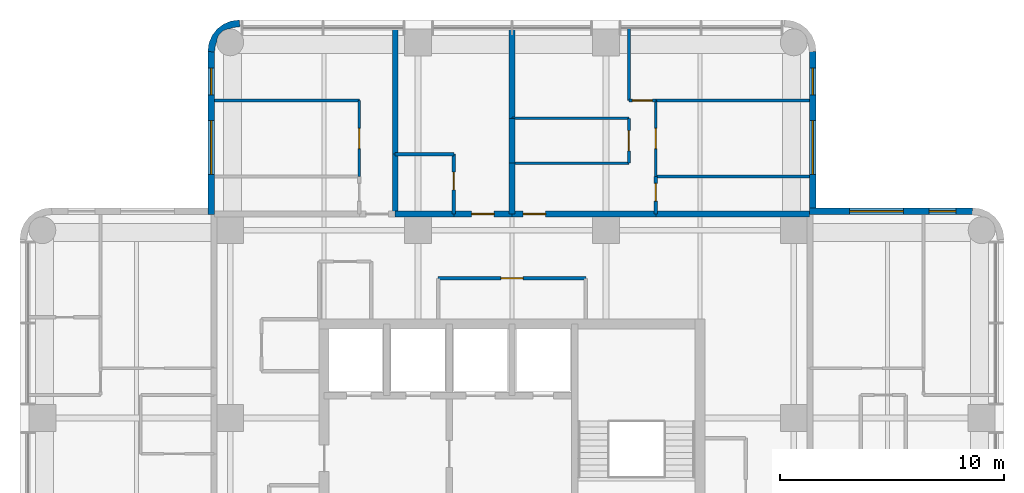
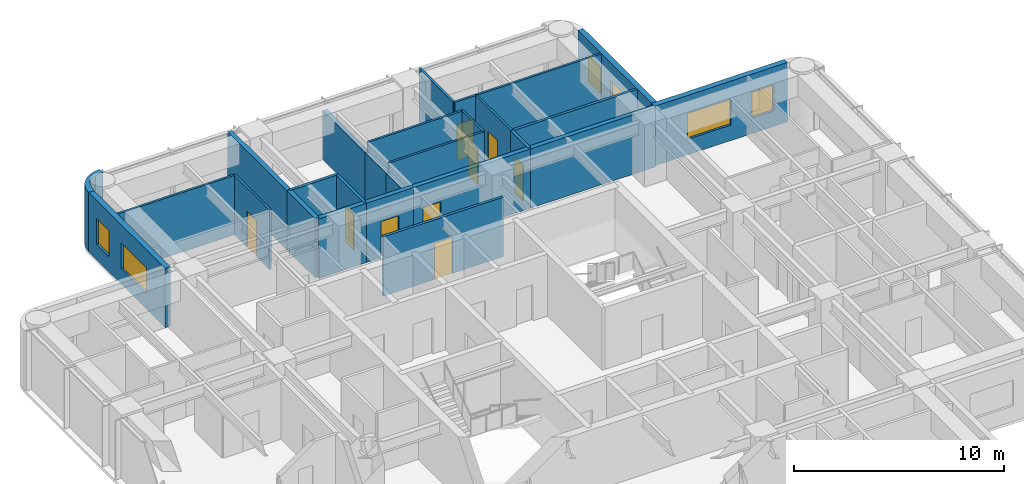
# One storey, part 8 of 10: 27 walls, 9 doors, 6 windows, 15 openings.
"""IFC4 building model written with IfcOpenShell, lengths in metres."""

import ifcopenshell
import ifcopenshell.guid

model = None  # the IFC model being written
_history = None  # IfcOwnerHistory: only IFC2X3 demands one
_inside = {}  # id of a spatial element -> (the spatial element, [elements in it])
_under = {}  # id of a project, library or spatial element -> (it, [spatial elements below it])
_declared = {}  # id of a project -> (the project, [libraries it declares])
_typed = {}  # id of a type object -> (the type object, [elements of that type])
_made_of = {}  # id of a material, layer set ... -> (it, [elements and type objects made of it])


def new_model(schema):
    """Start an empty IFC model of exactly this schema.

    Asked for "IFC4X3", IfcOpenShell would pick the latest addendum, in which some entities
    have other attributes; the version numbers below select the first issue.
    IFC2X3 requires an IfcOwnerHistory on every rooted entity: one is made here for all.
    """
    global model, _history
    if schema == "IFC4X3":
        model = ifcopenshell.file(schema_version=(4, 3, 0, 0))
    else:
        model = ifcopenshell.file(schema=schema)
    _inside.clear()
    _under.clear()
    _declared.clear()
    _typed.clear()
    _made_of.clear()
    _history = None
    if model.schema == "IFC2X3":
        org = make("IfcOrganization", Name="unknown")
        user = make(
            "IfcPersonAndOrganization",
            ThePerson=make("IfcPerson", FamilyName="unknown"),
            TheOrganization=org,
        )
        app = make(
            "IfcApplication",
            ApplicationDeveloper=org,
            Version="unknown",
            ApplicationFullName="unknown",
            ApplicationIdentifier="unknown",
        )
        _history = make(
            "IfcOwnerHistory",
            OwningUser=user,
            OwningApplication=app,
            ChangeAction="ADDED",
            CreationDate=0,
        )
    return model


def make(cls, **values):
    """One entity of the class cls with the attributes given. An attribute that is None is left unset."""
    return model.create_entity(
        cls, **{name: value for name, value in values.items() if value is not None}
    )


def rooted(cls, **values):
    """An entity with a GlobalId (a new one), such as an element, a storey or a relation."""
    return make(cls, GlobalId=ifcopenshell.guid.new(), OwnerHistory=_history, **values)


def si_unit(unit_type, name, prefix=None):
    """IfcSIUnit, for example si_unit("LENGTHUNIT", "METRE", prefix="MILLI")."""
    return make("IfcSIUnit", UnitType=unit_type, Prefix=prefix, Name=name)


def assignment(units):
    """IfcUnitAssignment: the units of a project."""
    return None if units is None else make("IfcUnitAssignment", Units=units)


def point(xyz):
    """IfcCartesianPoint."""
    return None if xyz is None else make("IfcCartesianPoint", Coordinates=xyz)


def direction(xyz):
    """IfcDirection."""
    return None if xyz is None else make("IfcDirection", DirectionRatios=xyz)


def frame(location, z_axis=None, x_axis=None):
    """IfcAxis2Placement3D, a coordinate frame: its origin and axes. An axis left out is left unset."""
    return make(
        "IfcAxis2Placement3D",
        Location=point(location),
        Axis=direction(z_axis),
        RefDirection=direction(x_axis),
    )


def frame_2d(location, x_axis=None):
    """IfcAxis2Placement2D, a coordinate frame in the plane: its origin and x axis."""
    return make(
        "IfcAxis2Placement2D", Location=point(location), RefDirection=direction(x_axis)
    )


def origin():
    """The frame at (0, 0, 0) with its axes left unset."""
    return frame((0.0, 0.0, 0.0))


def place(relative_to, where):
    """IfcLocalPlacement: puts the frame where relative to a parent placement (None: the world)."""
    return make(
        "IfcLocalPlacement", PlacementRelTo=relative_to, RelativePlacement=where
    )


def context(
    kind, dimensions, precision=None, world=None, true_north=None, identifier=None
):
    """IfcGeometricRepresentationContext, for example the 3D "Model" context."""
    return make(
        "IfcGeometricRepresentationContext",
        ContextIdentifier=identifier,
        ContextType=kind,
        CoordinateSpaceDimension=dimensions,
        Precision=precision,
        WorldCoordinateSystem=world,
        TrueNorth=true_north,
    )


def subcontext(parent, identifier, kind, view, scale=None):
    """IfcGeometricRepresentationSubContext, for example "Body" below "Model"."""
    return make(
        "IfcGeometricRepresentationSubContext",
        ContextIdentifier=identifier,
        ContextType=kind,
        ParentContext=parent,
        TargetScale=scale,
        TargetView=view,
    )


def project(units=None, contexts=None):
    """IfcProject with its units and contexts."""
    return rooted(
        "IfcProject",
        Name="project",
        RepresentationContexts=contexts,
        UnitsInContext=assignment(units),
    )


def spatial(cls, under=None, at=None, **own):
    """A site, building, storey or space (cls), placed at a placement, below another one or the project."""
    s = rooted(cls, ObjectPlacement=at, **own)
    if under is not None:
        _under.setdefault(under.id(), (under, []))[1].append(s)
    return s


def polyline(points):
    """IfcPolyline through the points."""
    return make("IfcPolyline", Points=[point(p) for p in points])


def profile(cls, at=None, kind="AREA", **sizes):
    """A parametric profile (cls). Its sizes go by their IFC names, for example OverallWidth=200.0."""
    return make(cls, ProfileType=kind, Position=at, **sizes)


def rectangle(**sizes):
    """IfcRectangleProfileDef."""
    return profile("IfcRectangleProfileDef", **sizes)


def outline(outer, holes=None, kind="AREA"):
    """IfcArbitraryClosedProfileDef: a profile drawn as a closed curve; with holes, ...WithVoids."""
    if holes is None:
        return make("IfcArbitraryClosedProfileDef", ProfileType=kind, OuterCurve=outer)
    return make(
        "IfcArbitraryProfileDefWithVoids",
        ProfileType=kind,
        OuterCurve=outer,
        InnerCurves=holes,
    )


def extrude(swept, where, along, depth):
    """IfcExtrudedAreaSolid: the profile swept, set in the frame where, extruded along a direction by depth."""
    return make(
        "IfcExtrudedAreaSolid",
        SweptArea=swept,
        Position=where,
        ExtrudedDirection=direction(along),
        Depth=depth,
    )


def shape(context_of_items, identifier, shape_type, items):
    """IfcShapeRepresentation: the items that make up one representation, for example the "Body"."""
    return make(
        "IfcShapeRepresentation",
        ContextOfItems=context_of_items,
        RepresentationIdentifier=identifier,
        RepresentationType=shape_type,
        Items=items,
    )


def material(Name=None, Category=None):
    """IfcMaterial."""
    return make("IfcMaterial", Name=Name, Category=Category)


def layer(
    of_material, thickness, ventilated=None, Name=None, Category=None, Priority=None
):
    """IfcMaterialLayer: one layer of a wall or slab, of a material (None: an air gap)."""
    return make(
        "IfcMaterialLayer",
        Material=of_material,
        LayerThickness=thickness,
        IsVentilated=ventilated,
        Name=Name,
        Category=Category,
        Priority=Priority,
    )


def layer_set(layers, Name=None):
    """IfcMaterialLayerSet."""
    return make("IfcMaterialLayerSet", MaterialLayers=layers, LayerSetName=Name)


def made_of(thing, what):
    """Note that an element or type object is made of a material, layer set ...; save() writes the relation."""
    if what is not None:
        _made_of.setdefault(what.id(), (what, []))[1].append(thing)
    return thing


def type_object(cls, material=None, **own):
    """A type object (cls), such as IfcWallType, which elements share."""
    return made_of(rooted(cls, **own), material)


def element(
    cls,
    number,
    at=None,
    inside=None,
    cuts=None,
    type_object=None,
    material=None,
    context=None,
    identifier="Body",
    shape_type=None,
    held_by="IfcProductDefinitionShape",
    body=None,
    shapes=None,
    **own,
):
    """One element of the class cls, such as IfcWall. Its Tag is "e" and its number.

    at: its placement. inside: the storey or other place that contains it. cuts: it is an
    opening in that element (IfcRelVoidsElement). A single representation is given by context,
    identifier, shape_type and body (its items); several are given by shapes. held_by: the class
    of the entity that holds the representations. save() writes the other relations.
    """
    e = rooted(cls, Tag="e%d" % number, ObjectPlacement=at, **own)
    if body is not None:
        shapes = [shape(context, identifier, shape_type, body)]
    if shapes is not None:
        e.Representation = make(held_by, Representations=shapes)
    if inside is not None:
        _inside.setdefault(inside.id(), (inside, []))[1].append(e)
    if cuts is not None:
        rooted(
            "IfcRelVoidsElement", RelatingBuildingElement=cuts, RelatedOpeningElement=e
        )
    if type_object is not None:
        _typed.setdefault(type_object.id(), (type_object, []))[1].append(e)
    return made_of(e, material)


def fill(opening, filler):
    """IfcRelFillsElement: the door or window that sits in an opening."""
    return rooted(
        "IfcRelFillsElement",
        RelatingOpeningElement=opening,
        RelatedBuildingElement=filler,
    )


def aggregate(whole, parts):
    """IfcRelAggregates: a whole, such as a stair, and the parts it consists of."""
    return rooted("IfcRelAggregates", RelatingObject=whole, RelatedObjects=parts)


def save(model, path):
    """Write the relations noted so far, then the file.

    IfcRelAggregates (storeys below a building ...), IfcRelContainedInSpatialStructure (elements
    in a storey), IfcRelDefinesByType, IfcRelAssociatesMaterial and IfcRelDeclares: one each for
    every whole, place, type object, material and project.
    """
    for whole, parts in _under.values():
        aggregate(whole, parts)
    for where, things in _inside.values():
        rooted(
            "IfcRelContainedInSpatialStructure",
            RelatedElements=things,
            RelatingStructure=where,
        )
    for kind, things in _typed.values():
        rooted("IfcRelDefinesByType", RelatedObjects=things, RelatingType=kind)
    for what, things in _made_of.values():
        rooted("IfcRelAssociatesMaterial", RelatedObjects=things, RelatingMaterial=what)
    for by, libraries in _declared.values():
        rooted("IfcRelDeclares", RelatingContext=by, RelatedDefinitions=libraries)
    model.write(path)


model = new_model("IFC4")

# Units and contexts
model_context = context("Model", 3, precision=1e-05, world=origin(), true_north=direction((0.0, 1.0)))
body_context = subcontext(model_context, "Body", "Model", "MODEL_VIEW")
ifc_project = project(units=[si_unit("LENGTHUNIT", "METRE"), si_unit("AREAUNIT", "SQUARE_METRE"), si_unit("VOLUMEUNIT", "CUBIC_METRE"), si_unit("PLANEANGLEUNIT", "RADIAN"), si_unit("MASSUNIT", "GRAM", prefix="KILO")], contexts=[model_context])

# Site, building, storey
site_placement = place(None, origin())
site = spatial("IfcSite", under=ifc_project, at=site_placement, CompositionType="ELEMENT")
building_placement = place(site_placement, origin())
building = spatial("IfcBuilding", under=site, at=building_placement, Name="Torre Alcanfor", CompositionType="ELEMENT")
storey_placement = place(building_placement, frame((0.0, 0.0, 275.699951171875)))
storey = spatial("IfcBuildingStorey", under=building, at=storey_placement, Name="L72", CompositionType="ELEMENT", Elevation=275.699951171875)

# Wall, opening, door
ifc_material_1 = material(Name="Concrete block masonry, hollow blocks NMX-C-404 9 MPa", Category="masonry")
ifc_layer_1 = layer(ifc_material_1, 0.25)
ifc_layer_set_1 = layer_set([ifc_layer_1], Name="Apartment entrance wall 250 EI 60")
wall_type_1 = type_object("IfcWallType", Name="Apartment entrance wall 250 EI 60", PredefinedType="PARTITIONING", material=ifc_layer_set_1)
wall_1_placement = place(storey_placement, frame((26.800048828125, 42.72509765625, 0.0), z_axis=(0.0, 0.0, 1.0), x_axis=(1.0, 0.0, 0.0)))
wall_1 = element("IfcWall", 1, at=wall_1_placement, inside=storey, type_object=wall_type_1, Name="Partition L72-CORR / L72-N1A-STUDIO", PredefinedType="PARTITIONING", context=body_context, shape_type="SweptSolid", body=[
    extrude(rectangle(XDim=2.599853515625, YDim=0.25, at=frame_2d((1.2998046875, 0.0))), origin(), (0.0, 0.0, 1.0), 3.449951171875),
])
opening_1_placement = place(wall_1_placement, frame((0.800048828125, 0.0, 0.0)))
opening_1 = element("IfcOpeningElement", 2, at=opening_1_placement, cuts=wall_1, Name="Opening D-A1", PredefinedType="OPENING", context=body_context, shape_type="SweptSolid", body=[
    extrude(rectangle(XDim=1.0, YDim=2.10009765625, at=frame_2d((0.5, 1.050048828125))), frame((0.0, 0.135009765625, 0.0), z_axis=(0.0, -1.0, 0.0), x_axis=(1.0, 0.0, 0.0)), (0.0, 0.0, 1.0), 0.27001953125),
])
ifc_material_2 = material(Name="Galvanised steel sheet ASTM A653", Category="steel")
door_type_1 = type_object("IfcDoorType", Name="Apartment entrance door FD60 1000x2100", OperationType="SINGLE_SWING_LEFT", PredefinedType="DOOR", material=ifc_material_2)
door_1_placement = place(opening_1_placement, origin())
door_1 = element("IfcDoor", 3, at=door_1_placement, inside=storey, type_object=door_type_1, Name="Apartment entrance L72-N1A", OperationType="SINGLE_SWING_LEFT", OverallHeight=2.10009765625, OverallWidth=1.0, PredefinedType="DOOR", context=body_context, shape_type="SweptSolid", body=[
    extrude(rectangle(XDim=1.0, YDim=2.10009765625, at=frame_2d((0.5, 1.050048828125))), frame((0.0, 0.02490234375, 0.0), z_axis=(0.0, -1.0, 0.0), x_axis=(1.0, 0.0, 0.0)), (0.0, 0.0, 1.0), 0.050048828125),
])
fill(opening_1, door_1)

# Wall
wall_2_placement = place(storey_placement, frame((24.1708984375, 42.72509765625, 0.0), z_axis=(0.0, 0.0, 1.0), x_axis=(1.0, 0.0, 0.0)))
element("IfcWall", 4, at=wall_2_placement, inside=storey, type_object=wall_type_1, Name="Partition L72-CORR / L72-N1A-BATH", PredefinedType="PARTITIONING", context=body_context, shape_type="SweptSolid", body=[
    extrude(rectangle(XDim=2.629150390625, YDim=0.25, at=frame_2d((1.314453125, 0.0))), origin(), (0.0, 0.0, 1.0), 3.449951171875),
])

# Wall, opening, door
wall_3_placement = place(storey_placement, frame((29.39990234375, 42.72509765625, 0.0), z_axis=(0.0, 0.0, 1.0), x_axis=(1.0, 0.0, 0.0)))
wall_3 = element("IfcWall", 5, at=wall_3_placement, inside=storey, type_object=wall_type_1, Name="Partition L72-CORR / L72-N2-LIVING", PredefinedType="PARTITIONING", context=body_context, shape_type="SweptSolid", body=[
    extrude(rectangle(XDim=6.42919921875, YDim=0.25, at=frame_2d((3.214599609375, 0.0))), origin(), (0.0, 0.0, 1.0), 3.449951171875),
])
opening_2_placement = place(wall_3_placement, frame((0.5, 0.0, 0.0)))
opening_2 = element("IfcOpeningElement", 6, at=opening_2_placement, cuts=wall_3, Name="Opening D-A1", PredefinedType="OPENING", context=body_context, shape_type="SweptSolid", body=[
    extrude(rectangle(XDim=1.0, YDim=2.10009765625, at=frame_2d((0.5, 1.050048828125))), frame((0.0, 0.135009765625, 0.0), z_axis=(0.0, -1.0, 0.0), x_axis=(1.0, 0.0, 0.0)), (0.0, 0.0, 1.0), 0.27001953125),
])
door_2_placement = place(opening_2_placement, origin())
door_2 = element("IfcDoor", 7, at=door_2_placement, inside=storey, type_object=door_type_1, Name="Apartment entrance L72-N2", OperationType="SINGLE_SWING_LEFT", OverallHeight=2.10009765625, OverallWidth=1.0, PredefinedType="DOOR", context=body_context, shape_type="SweptSolid", body=[
    extrude(rectangle(XDim=1.0, YDim=2.10009765625, at=frame_2d((0.5, 1.050048828125))), frame((0.0, 0.02490234375, 0.0), z_axis=(0.0, -1.0, 0.0), x_axis=(1.0, 0.0, 0.0)), (0.0, 0.0, 1.0), 0.050048828125),
])
fill(opening_2, door_2)

# Wall
wall_4_placement = place(storey_placement, frame((35.8291015625, 42.72509765625, 0.0), z_axis=(0.0, 0.0, 1.0), x_axis=(1.0, 0.0, 0.0)))
element("IfcWall", 8, at=wall_4_placement, inside=storey, type_object=wall_type_1, Name="Partition L72-CORR / L72-N2-BATH", PredefinedType="PARTITIONING", context=body_context, shape_type="SweptSolid", body=[
    extrude(rectangle(XDim=6.870849609375, YDim=0.25, at=frame_2d((3.435546875, 0.0))), origin(), (0.0, 0.0, 1.0), 3.449951171875),
])

# Wall, opening, door
ifc_material_3 = material(Name="Gypsum board on steel studs", Category="steel")
ifc_layer_2 = layer(ifc_material_3, 0.1201171875)
ifc_layer_set_2 = layer_set([ifc_layer_2], Name="Apartment partition 120")
wall_type_2 = type_object("IfcWallType", Name="Apartment partition 120", PredefinedType="PARTITIONING", material=ifc_layer_set_2)
wall_5_placement = place(storey_placement, frame((22.571044921875, 44.39990234375, 0.0), z_axis=(0.0, 0.0, 1.0), x_axis=(0.0, 1.0, 0.0)))
wall_5 = element("IfcWall", 9, at=wall_5_placement, inside=storey, type_object=wall_type_2, Name="Partition L72-N1B-LIVING / L72-N1B-MASTER", PredefinedType="PARTITIONING", context=body_context, shape_type="SweptSolid", body=[
    extrude(rectangle(XDim=3.400146484375, YDim=0.1201171875, at=frame_2d((1.7001953125, 0.0))), origin(), (0.0, 0.0, 1.0), 3.449951171875),
])
opening_3_placement = place(wall_5_placement, frame((1.25, 0.0, 0.0)))
opening_3 = element("IfcOpeningElement", 10, at=opening_3_placement, cuts=wall_5, Name="Opening D-R1", PredefinedType="OPENING", context=body_context, shape_type="SweptSolid", body=[
    extrude(rectangle(XDim=0.89990234375, YDim=2.10009765625, at=frame_2d((0.449951171875, 1.050048828125))), frame((0.0, 0.070068359375, 0.0), z_axis=(0.0, -1.0, 0.0), x_axis=(1.0, 0.0, 0.0)), (0.0, 0.0, 1.0), 0.14013671875),
])
ifc_material_4 = material(Name="Timber", Category="wood")
door_type_2 = type_object("IfcDoorType", Name="Internal door 900x2100", OperationType="SINGLE_SWING_LEFT", PredefinedType="DOOR", material=ifc_material_4)
door_3_placement = place(opening_3_placement, origin())
door_3 = element("IfcDoor", 11, at=door_3_placement, inside=storey, type_object=door_type_2, Name="Door L72-N1B master", OperationType="SINGLE_SWING_LEFT", OverallHeight=2.10009765625, OverallWidth=0.89990234375, PredefinedType="DOOR", context=body_context, shape_type="SweptSolid", body=[
    extrude(rectangle(XDim=0.89990234375, YDim=2.10009765625, at=frame_2d((0.449951171875, 1.050048828125))), frame((0.0, 0.02490234375, 0.0), z_axis=(0.0, -1.0, 0.0), x_axis=(1.0, 0.0, 0.0)), (0.0, 0.0, 1.0), 0.050048828125),
])
fill(opening_3, door_3)

# Walls
wall_6_placement = place(storey_placement, frame((22.571044921875, 47.800048828125, 0.0), z_axis=(0.0, 0.0, 1.0), x_axis=(-1.0, 0.0, 0.0)))
element("IfcWall", 12, at=wall_6_placement, inside=storey, type_object=wall_type_2, Name="Partition L72-N1B-LIVING / L72-N1B-MASTER", PredefinedType="PARTITIONING", context=body_context, shape_type="SweptSolid", body=[
    extrude(rectangle(XDim=6.470947265625, YDim=0.1201171875, at=frame_2d((3.2353515625, 0.0))), origin(), (0.0, 0.0, 1.0), 3.449951171875),
])
wall_7_placement = place(storey_placement, frame((29.39990234375, 47.0, 0.0), z_axis=(0.0, 0.0, 1.0), x_axis=(1.0, 0.0, 0.0)))
element("IfcWall", 13, at=wall_7_placement, inside=storey, type_object=wall_type_2, Name="Partition L72-N2-KITCHEN / L72-N2-LIVING", PredefinedType="PARTITIONING", context=body_context, shape_type="SweptSolid", body=[
    extrude(rectangle(XDim=5.22900390625, YDim=0.1201171875, at=frame_2d((2.614501953125, 0.0))), origin(), (0.0, 0.0, 1.0), 3.449951171875),
])

# Wall, opening, door
wall_8_placement = place(storey_placement, frame((34.62890625, 47.0, 0.0), z_axis=(0.0, 0.0, 1.0), x_axis=(0.0, -1.0, 0.0)))
wall_8 = element("IfcWall", 14, at=wall_8_placement, inside=storey, type_object=wall_type_2, Name="Partition L72-N2-KITCHEN / L72-N2-LIVING", PredefinedType="PARTITIONING", context=body_context, shape_type="SweptSolid", body=[
    extrude(rectangle(XDim=2.0, YDim=0.1201171875, at=frame_2d((1.0, 0.0))), origin(), (0.0, 0.0, 1.0), 3.449951171875),
])
opening_4_placement = place(wall_8_placement, frame((0.550048828125, 0.0, 0.0)))
opening_4 = element("IfcOpeningElement", 15, at=opening_4_placement, cuts=wall_8, Name="Opening D-R1", PredefinedType="OPENING", context=body_context, shape_type="SweptSolid", body=[
    extrude(rectangle(XDim=0.89990234375, YDim=2.10009765625, at=frame_2d((0.449951171875, 1.050048828125))), frame((0.0, 0.070068359375, 0.0), z_axis=(0.0, -1.0, 0.0), x_axis=(1.0, 0.0, 0.0)), (0.0, 0.0, 1.0), 0.14013671875),
])
door_4_placement = place(opening_4_placement, frame((0.89990234375, 0.0, 0.0), z_axis=(0.0, 0.0, 1.0), x_axis=(-1.0, 0.0, 0.0)))
door_4 = element("IfcDoor", 16, at=door_4_placement, inside=storey, type_object=door_type_2, Name="Door L72-N2 kitchen", OperationType="SINGLE_SWING_RIGHT", OverallHeight=2.10009765625, OverallWidth=0.89990234375, PredefinedType="DOOR", context=body_context, shape_type="SweptSolid", body=[
    extrude(rectangle(XDim=0.89990234375, YDim=2.10009765625, at=frame_2d((0.449951171875, 1.050048828125))), frame((0.0, 0.025146484375, 0.0), z_axis=(0.0, -1.0, 0.0), x_axis=(1.0, 0.0, 0.0)), (0.0, 0.0, 1.0), 0.050048828125),
])
fill(opening_4, door_4)

# Wall
wall_9_placement = place(storey_placement, frame((34.62890625, 45.0, 0.0), z_axis=(0.0, 0.0, 1.0), x_axis=(-1.0, 0.0, 0.0)))
element("IfcWall", 17, at=wall_9_placement, inside=storey, type_object=wall_type_2, Name="Partition L72-N2-KITCHEN / L72-N2-LIVING", PredefinedType="PARTITIONING", context=body_context, shape_type="SweptSolid", body=[
    extrude(rectangle(XDim=5.22900390625, YDim=0.1201171875, at=frame_2d((2.614501953125, 0.0))), origin(), (0.0, 0.0, 1.0), 3.449951171875),
])

# Wall, opening, door
wall_10_placement = place(storey_placement, frame((35.8291015625, 47.800048828125, 0.0), z_axis=(0.0, 0.0, 1.0), x_axis=(0.0, -1.0, 0.0)))
wall_10 = element("IfcWall", 18, at=wall_10_placement, inside=storey, type_object=wall_type_2, Name="Partition L72-N2-LIVING / L72-N2-STUDY", PredefinedType="PARTITIONING", context=body_context, shape_type="SweptSolid", body=[
    extrude(rectangle(XDim=3.400146484375, YDim=0.1201171875, at=frame_2d((1.7001953125, 0.0))), origin(), (0.0, 0.0, 1.0), 3.449951171875),
])
opening_5_placement = place(wall_10_placement, frame((1.25, 0.0, 0.0)))
opening_5 = element("IfcOpeningElement", 19, at=opening_5_placement, cuts=wall_10, Name="Opening D-R1", PredefinedType="OPENING", context=body_context, shape_type="SweptSolid", body=[
    extrude(rectangle(XDim=0.89990234375, YDim=2.10009765625, at=frame_2d((0.449951171875, 1.050048828125))), frame((0.0, 0.070068359375, 0.0), z_axis=(0.0, -1.0, 0.0), x_axis=(1.0, 0.0, 0.0)), (0.0, 0.0, 1.0), 0.14013671875),
])
door_5_placement = place(opening_5_placement, origin())
door_5 = element("IfcDoor", 20, at=door_5_placement, inside=storey, type_object=door_type_2, Name="Door L72-N2 study", OperationType="SINGLE_SWING_LEFT", OverallHeight=2.10009765625, OverallWidth=0.89990234375, PredefinedType="DOOR", context=body_context, shape_type="SweptSolid", body=[
    extrude(rectangle(XDim=0.89990234375, YDim=2.10009765625, at=frame_2d((0.449951171875, 1.050048828125))), frame((0.0, 0.02490234375, 0.0), z_axis=(0.0, -1.0, 0.0), x_axis=(1.0, 0.0, 0.0)), (0.0, 0.0, 1.0), 0.050048828125),
])
fill(opening_5, door_5)

# Wall
wall_11_placement = place(storey_placement, frame((34.62890625, 51.050048828125, 0.0), z_axis=(0.0, 0.0, 1.0), x_axis=(0.0, -1.0, 0.0)))
element("IfcWall", 21, at=wall_11_placement, inside=storey, type_object=wall_type_2, Name="Partition L72-N2-LIVING / L72-N2-MASTER", PredefinedType="PARTITIONING", context=body_context, shape_type="SweptSolid", body=[
    extrude(rectangle(XDim=3.25, YDim=0.1201171875, at=frame_2d((1.625, 0.0))), origin(), (0.0, 0.0, 1.0), 3.449951171875),
])

# Wall, opening, door
wall_12_placement = place(storey_placement, frame((34.62890625, 47.800048828125, 0.0), z_axis=(0.0, 0.0, 1.0), x_axis=(1.0, 0.0, 0.0)))
wall_12 = element("IfcWall", 22, at=wall_12_placement, inside=storey, type_object=wall_type_2, Name="Partition L72-N2-LIVING / L72-N2-MASTER", PredefinedType="PARTITIONING", context=body_context, shape_type="SweptSolid", body=[
    extrude(rectangle(XDim=1.2001953125, YDim=0.1201171875, at=frame_2d((0.60009765625, 0.0))), origin(), (0.0, 0.0, 1.0), 3.449951171875),
])
opening_6_placement = place(wall_12_placement, frame((0.15087890625, 0.0, 0.0)))
opening_6 = element("IfcOpeningElement", 23, at=opening_6_placement, cuts=wall_12, Name="Opening D-R1", PredefinedType="OPENING", context=body_context, shape_type="SweptSolid", body=[
    extrude(rectangle(XDim=0.89990234375, YDim=2.10009765625, at=frame_2d((0.449951171875, 1.050048828125))), frame((0.0, 0.070068359375, 0.0), z_axis=(0.0, -1.0, 0.0), x_axis=(1.0, 0.0, 0.0)), (0.0, 0.0, 1.0), 0.14013671875),
])
door_6_placement = place(opening_6_placement, origin())
door_6 = element("IfcDoor", 24, at=door_6_placement, inside=storey, type_object=door_type_2, Name="Door L72-N2 master", OperationType="SINGLE_SWING_LEFT", OverallHeight=2.10009765625, OverallWidth=0.89990234375, PredefinedType="DOOR", context=body_context, shape_type="SweptSolid", body=[
    extrude(rectangle(XDim=0.89990234375, YDim=2.10009765625, at=frame_2d((0.449951171875, 1.050048828125))), frame((0.0, 0.02490234375, 0.0), z_axis=(0.0, -1.0, 0.0), x_axis=(1.0, 0.0, 0.0)), (0.0, 0.0, 1.0), 0.050048828125),
])
fill(opening_6, door_6)

# Wall
wall_13_placement = place(storey_placement, frame((35.8291015625, 47.800048828125, 0.0), z_axis=(0.0, 0.0, 1.0), x_axis=(1.0, 0.0, 0.0)))
element("IfcWall", 25, at=wall_13_placement, inside=storey, type_object=wall_type_2, Name="Partition L72-N2-STUDY / L72-N2-MASTER", PredefinedType="PARTITIONING", context=body_context, shape_type="SweptSolid", body=[
    extrude(rectangle(XDim=6.870849609375, YDim=0.1201171875, at=frame_2d((3.435546875, 0.0))), origin(), (0.0, 0.0, 1.0), 3.449951171875),
])

# Wall, openings, windows
ifc_material_5 = material(Name="Limestone cladding", Category="masonry")
ifc_layer_3 = layer(ifc_material_5, 0.0400390625, Name="Facing")
ifc_material_6 = material(Name="Ventilated air cavity")
ifc_layer_4 = layer(ifc_material_6, 0.02001953125, ventilated=True, Name="Ventilated joint")
ifc_material_7 = material(Name="Mineral wool insulation", Category="insulation")
ifc_layer_5 = layer(ifc_material_7, 0.10009765625, Name="Insulation")
ifc_material_8 = material(Name="Concrete f'c 35 MPa", Category="concrete")
ifc_layer_6 = layer(ifc_material_8, 0.139892578125, Name="Backing")
ifc_layer_set_3 = layer_set([ifc_layer_3, ifc_layer_4, ifc_layer_5, ifc_layer_6], Name="External wall stone-clad 300")
wall_type_3 = type_object("IfcWallType", Name="External wall stone-clad 300", PredefinedType="SOLIDWALL", material=ifc_layer_set_3)
wall_14_placement = place(storey_placement, frame((50.0, 42.85009765625, 0.0), z_axis=(0.0, 0.0, 1.0), x_axis=(-1.0, 0.0, 0.0)))
wall_14 = element("IfcWall", 26, at=wall_14_placement, inside=storey, type_object=wall_type_3, Name="External wall L72 9", PredefinedType="SOLIDWALL", context=body_context, shape_type="SweptSolid", body=[
    extrude(rectangle(XDim=7.300048828125, YDim=0.300048828125, at=frame_2d((3.64990234375, 0.0))), origin(), (0.0, 0.0, 1.0), 3.449951171875),
])
opening_7_placement = place(wall_14_placement, frame((3.10009765625, 0.0, 0.89990234375)))
opening_7 = element("IfcOpeningElement", 27, at=opening_7_placement, cuts=wall_14, Name="Opening W1", PredefinedType="OPENING", context=body_context, shape_type="SweptSolid", body=[
    extrude(rectangle(XDim=2.39990234375, YDim=1.5, at=frame_2d((1.199951171875, 0.75))), frame((0.0, 0.159912109375, 0.0), z_axis=(0.0, -1.0, 0.0), x_axis=(1.0, 0.0, 0.0)), (0.0, 0.0, 1.0), 0.320068359375),
])
opening_8_placement = place(wall_14_placement, frame((0.75, 0.0, 0.89990234375)))
opening_8 = element("IfcOpeningElement", 28, at=opening_8_placement, cuts=wall_14, Name="Opening W4", PredefinedType="OPENING", context=body_context, shape_type="SweptSolid", body=[
    extrude(rectangle(XDim=1.199951171875, YDim=1.5, at=frame_2d((0.60009765625, 0.75))), frame((0.0, 0.159912109375, 0.0), z_axis=(0.0, -1.0, 0.0), x_axis=(1.0, 0.0, 0.0)), (0.0, 0.0, 1.0), 0.320068359375),
])
ifc_material_9 = material(Name="Aluminium frame with clear double glazing", Category="aluminium")
window_type_1 = type_object("IfcWindowType", Name="Window bedroom 1200x1500", PartitioningType="SINGLE_PANEL", PredefinedType="WINDOW", material=ifc_material_9)
window_1_placement = place(opening_8_placement, origin())
window_1 = element("IfcWindow", 29, at=window_1_placement, inside=storey, type_object=window_type_1, Name="Window W4 L72-E1", OverallHeight=1.5, OverallWidth=1.199951171875, PartitioningType="SINGLE_PANEL", PredefinedType="WINDOW", context=body_context, shape_type="SweptSolid", body=[
    extrude(rectangle(XDim=1.199951171875, YDim=1.5, at=frame_2d((0.60009765625, 0.75))), frame((0.0, 0.030029296875, 0.0), z_axis=(0.0, -1.0, 0.0), x_axis=(1.0, 0.0, 0.0)), (0.0, 0.0, 1.0), 0.06005859375),
])
fill(opening_8, window_1)
ifc_material_10 = material(Name="Aluminium frame with clear double glazing", Category="aluminium")
window_type_2 = type_object("IfcWindowType", Name="Window bedroom 2400x1500", PartitioningType="SINGLE_PANEL", PredefinedType="WINDOW", material=ifc_material_10)
window_2_placement = place(opening_7_placement, origin())
window_2 = element("IfcWindow", 30, at=window_2_placement, inside=storey, type_object=window_type_2, Name="Window W1 L72-E1", OverallHeight=1.5, OverallWidth=2.39990234375, PartitioningType="SINGLE_PANEL", PredefinedType="WINDOW", context=body_context, shape_type="SweptSolid", body=[
    extrude(rectangle(XDim=2.39990234375, YDim=1.5, at=frame_2d((1.199951171875, 0.75))), frame((0.0, 0.030029296875, 0.0), z_axis=(0.0, -1.0, 0.0), x_axis=(1.0, 0.0, 0.0)), (0.0, 0.0, 1.0), 0.06005859375),
])
fill(opening_7, window_2)

wall_15_placement = place(storey_placement, frame((42.85009765625, 43.0, 0.0), z_axis=(0.0, 0.0, 1.0), x_axis=(0.0, 1.0, 0.0)))
wall_15 = element("IfcWall", 31, at=wall_15_placement, inside=storey, type_object=wall_type_3, Name="External wall L72 10", PredefinedType="SOLIDWALL", context=body_context, shape_type="SweptSolid", body=[
    extrude(rectangle(XDim=7.0, YDim=0.300048828125, at=frame_2d((3.5, 0.0))), origin(), (0.0, 0.0, 1.0), 3.449951171875),
])
opening_9_placement = place(wall_15_placement, frame((1.5, 0.0, 0.89990234375)))
opening_9 = element("IfcOpeningElement", 32, at=opening_9_placement, cuts=wall_15, Name="Opening W1", PredefinedType="OPENING", context=body_context, shape_type="SweptSolid", body=[
    extrude(rectangle(XDim=2.39990234375, YDim=1.5, at=frame_2d((1.199951171875, 0.75))), frame((0.0, 0.159912109375, 0.0), z_axis=(0.0, -1.0, 0.0), x_axis=(1.0, 0.0, 0.0)), (0.0, 0.0, 1.0), 0.320068359375),
])
opening_10_placement = place(wall_15_placement, frame((5.050048828125, 0.0, 0.89990234375)))
opening_10 = element("IfcOpeningElement", 33, at=opening_10_placement, cuts=wall_15, Name="Opening W4", PredefinedType="OPENING", context=body_context, shape_type="SweptSolid", body=[
    extrude(rectangle(XDim=1.199951171875, YDim=1.5, at=frame_2d((0.60009765625, 0.75))), frame((0.0, 0.159912109375, 0.0), z_axis=(0.0, -1.0, 0.0), x_axis=(1.0, 0.0, 0.0)), (0.0, 0.0, 1.0), 0.320068359375),
])
window_3_placement = place(opening_10_placement, origin())
window_3 = element("IfcWindow", 34, at=window_3_placement, inside=storey, type_object=window_type_1, Name="Window W4 L72-N2", OverallHeight=1.5, OverallWidth=1.199951171875, PartitioningType="SINGLE_PANEL", PredefinedType="WINDOW", context=body_context, shape_type="SweptSolid", body=[
    extrude(rectangle(XDim=1.199951171875, YDim=1.5, at=frame_2d((0.60009765625, 0.75))), frame((0.0, 0.030029296875, 0.0), z_axis=(0.0, -1.0, 0.0), x_axis=(1.0, 0.0, 0.0)), (0.0, 0.0, 1.0), 0.06005859375),
])
fill(opening_10, window_3)
window_4_placement = place(opening_9_placement, origin())
window_4 = element("IfcWindow", 35, at=window_4_placement, inside=storey, type_object=window_type_2, Name="Window W1 L72-N2", OverallHeight=1.5, OverallWidth=2.39990234375, PartitioningType="SINGLE_PANEL", PredefinedType="WINDOW", context=body_context, shape_type="SweptSolid", body=[
    extrude(rectangle(XDim=2.39990234375, YDim=1.5, at=frame_2d((1.199951171875, 0.75))), frame((0.0, 0.030029296875, 0.0), z_axis=(0.0, -1.0, 0.0), x_axis=(1.0, 0.0, 0.0)), (0.0, 0.0, 1.0), 0.06005859375),
])
fill(opening_9, window_4)

wall_16_placement = place(storey_placement, frame((15.949951171875, 50.0, 0.0), z_axis=(0.0, 0.0, 1.0), x_axis=(0.0, -1.0, 0.0)))
wall_16 = element("IfcWall", 36, at=wall_16_placement, inside=storey, type_object=wall_type_3, Name="External wall L72 12", PredefinedType="SOLIDWALL", context=body_context, shape_type="SweptSolid", body=[
    extrude(rectangle(XDim=7.300048828125, YDim=0.300048828125, at=frame_2d((3.64990234375, 0.0))), origin(), (0.0, 0.0, 1.0), 3.449951171875),
])
opening_11_placement = place(wall_16_placement, frame((3.10009765625, 0.0, 0.89990234375)))
opening_11 = element("IfcOpeningElement", 37, at=opening_11_placement, cuts=wall_16, Name="Opening W1", PredefinedType="OPENING", context=body_context, shape_type="SweptSolid", body=[
    extrude(rectangle(XDim=2.39990234375, YDim=1.5, at=frame_2d((1.199951171875, 0.75))), frame((0.0, 0.159912109375, 0.0), z_axis=(0.0, -1.0, 0.0), x_axis=(1.0, 0.0, 0.0)), (0.0, 0.0, 1.0), 0.320068359375),
])
opening_12_placement = place(wall_16_placement, frame((0.75, 0.0, 0.89990234375)))
opening_12 = element("IfcOpeningElement", 38, at=opening_12_placement, cuts=wall_16, Name="Opening W4", PredefinedType="OPENING", context=body_context, shape_type="SweptSolid", body=[
    extrude(rectangle(XDim=1.199951171875, YDim=1.5, at=frame_2d((0.60009765625, 0.75))), frame((0.0, 0.159912109375, 0.0), z_axis=(0.0, -1.0, 0.0), x_axis=(1.0, 0.0, 0.0)), (0.0, 0.0, 1.0), 0.320068359375),
])
window_5_placement = place(opening_12_placement, origin())
window_5 = element("IfcWindow", 39, at=window_5_placement, inside=storey, type_object=window_type_1, Name="Window W4 L72-N1", OverallHeight=1.5, OverallWidth=1.199951171875, PartitioningType="SINGLE_PANEL", PredefinedType="WINDOW", context=body_context, shape_type="SweptSolid", body=[
    extrude(rectangle(XDim=1.199951171875, YDim=1.5, at=frame_2d((0.60009765625, 0.75))), frame((0.0, 0.030029296875, 0.0), z_axis=(0.0, -1.0, 0.0), x_axis=(1.0, 0.0, 0.0)), (0.0, 0.0, 1.0), 0.06005859375),
])
fill(opening_12, window_5)
window_6_placement = place(opening_11_placement, origin())
window_6 = element("IfcWindow", 40, at=window_6_placement, inside=storey, type_object=window_type_2, Name="Window W1 L72-N1", OverallHeight=1.5, OverallWidth=2.39990234375, PartitioningType="SINGLE_PANEL", PredefinedType="WINDOW", context=body_context, shape_type="SweptSolid", body=[
    extrude(rectangle(XDim=2.39990234375, YDim=1.5, at=frame_2d((1.199951171875, 0.75))), frame((0.0, 0.030029296875, 0.0), z_axis=(0.0, -1.0, 0.0), x_axis=(1.0, 0.0, 0.0)), (0.0, 0.0, 1.0), 0.06005859375),
])
fill(opening_11, window_6)

# Walls
ifc_material_11 = material(Name="Concrete block masonry, hollow blocks NMX-C-404 9 MPa", Category="masonry")
ifc_layer_7 = layer(ifc_material_11, 0.25)
ifc_layer_set_4 = layer_set([ifc_layer_7], Name="Party wall 250 EI 60")
wall_type_4 = type_object("IfcWallType", Name="Party wall 250 EI 60", PredefinedType="PARTITIONING", material=ifc_layer_set_4)
wall_17_placement = place(storey_placement, frame((24.1708984375, 45.39990234375, 0.0), z_axis=(0.0, 0.0, 1.0), x_axis=(0.0, 1.0, 0.0)))
element("IfcWall", 41, at=wall_17_placement, inside=storey, type_object=wall_type_4, Name="Partition L72-N1A-STUDIO / L72-N1B-LIVING", PredefinedType="PARTITIONING", context=body_context, shape_type="SweptSolid", body=[
    extrude(rectangle(XDim=5.650146484375, YDim=0.25, at=frame_2d((2.8251953125, 0.0))), origin(), (0.0, 0.0, 1.0), 3.449951171875),
])
wall_18_placement = place(storey_placement, frame((29.39990234375, 47.0, 0.0), z_axis=(0.0, 0.0, 1.0), x_axis=(0.0, -1.0, 0.0)))
element("IfcWall", 42, at=wall_18_placement, inside=storey, type_object=wall_type_4, Name="Partition L72-N1A-STUDIO / L72-N2-KITCHEN", PredefinedType="PARTITIONING", context=body_context, shape_type="SweptSolid", body=[
    extrude(rectangle(XDim=2.0, YDim=0.25, at=frame_2d((1.0, 0.0))), origin(), (0.0, 0.0, 1.0), 2.84814453125),
])
wall_19_placement = place(storey_placement, frame((29.39990234375, 45.0, 0.0), z_axis=(0.0, 0.0, 1.0), x_axis=(0.0, -1.0, 0.0)))
element("IfcWall", 43, at=wall_19_placement, inside=storey, type_object=wall_type_4, Name="Partition L72-N1A-STUDIO / L72-N2-LIVING", PredefinedType="PARTITIONING", context=body_context, shape_type="SweptSolid", body=[
    extrude(rectangle(XDim=2.27490234375, YDim=0.25, at=frame_2d((1.137451171875, 0.0))), origin(), (0.0, 0.0, 1.0), 2.84814453125),
])
wall_20_placement = place(storey_placement, frame((29.39990234375, 51.050048828125, 0.0), z_axis=(0.0, 0.0, 1.0), x_axis=(0.0, -1.0, 0.0)))
element("IfcWall", 44, at=wall_20_placement, inside=storey, type_object=wall_type_4, Name="Partition L72-N1A-STUDIO / L72-N2-LIVING", PredefinedType="PARTITIONING", context=body_context, shape_type="SweptSolid", body=[
    extrude(rectangle(XDim=4.050048828125, YDim=0.25, at=frame_2d((2.02490234375, 0.0))), origin(), (0.0, 0.0, 1.0), 2.84814453125),
])
wall_21_placement = place(storey_placement, frame((24.1708984375, 45.39990234375, 0.0), z_axis=(0.0, 0.0, 1.0), x_axis=(0.0, -1.0, 0.0)))
element("IfcWall", 45, at=wall_21_placement, inside=storey, type_object=wall_type_4, Name="Partition L72-N1A-BATH / L72-N1B-LIVING", PredefinedType="PARTITIONING", context=body_context, shape_type="SweptSolid", body=[
    extrude(rectangle(XDim=2.6748046875, YDim=0.25, at=frame_2d((1.33740234375, 0.0))), origin(), (0.0, 0.0, 1.0), 3.449951171875),
])

# Wall, opening, door
ifc_material_12 = material(Name="Concrete block masonry, hollow blocks NMX-C-404 9 MPa", Category="masonry")
ifc_layer_8 = layer(ifc_material_12, 0.14990234375)
ifc_layer_set_5 = layer_set([ifc_layer_8], Name="Residents' room partition 150")
wall_type_5 = type_object("IfcWallType", Name="Residents' room partition 150", PredefinedType="PARTITIONING", material=ifc_layer_set_5)
wall_22_placement = place(storey_placement, frame((32.699951171875, 39.85009765625, 0.0), z_axis=(0.0, 0.0, 1.0), x_axis=(-1.0, 0.0, 0.0)))
wall_22 = element("IfcWall", 46, at=wall_22_placement, inside=storey, type_object=wall_type_5, Name="Partition L72-CORR / L72-G02", PredefinedType="PARTITIONING", context=body_context, shape_type="SweptSolid", body=[
    extrude(rectangle(XDim=6.599853515625, YDim=0.14990234375, at=frame_2d((3.2998046875, 0.0))), origin(), (0.0, 0.0, 1.0), 3.449951171875),
])
opening_13_placement = place(wall_22_placement, frame((2.800048828125, 0.0, 0.0)))
opening_13 = element("IfcOpeningElement", 47, at=opening_13_placement, cuts=wall_22, Name="Opening D-M1", PredefinedType="OPENING", context=body_context, shape_type="SweptSolid", body=[
    extrude(rectangle(XDim=1.0, YDim=2.10009765625, at=frame_2d((0.5, 1.050048828125))), frame((0.0, 0.0849609375, 0.0), z_axis=(0.0, -1.0, 0.0), x_axis=(1.0, 0.0, 0.0)), (0.0, 0.0, 1.0), 0.169921875),
])
ifc_material_13 = material(Name="Timber", Category="wood")
door_type_3 = type_object("IfcDoorType", Name="Residents' room door 1000x2100", OperationType="SINGLE_SWING_LEFT", PredefinedType="DOOR", material=ifc_material_13)
door_7_placement = place(opening_13_placement, origin())
door_7 = element("IfcDoor", 48, at=door_7_placement, inside=storey, type_object=door_type_3, Name="Door L72-G02 hobby room", OperationType="SINGLE_SWING_LEFT", OverallHeight=2.10009765625, OverallWidth=1.0, PredefinedType="DOOR", context=body_context, shape_type="SweptSolid", body=[
    extrude(rectangle(XDim=1.0, YDim=2.10009765625, at=frame_2d((0.5, 1.050048828125))), frame((0.0, 0.02490234375, 0.0), z_axis=(0.0, -1.0, 0.0), x_axis=(1.0, 0.0, 0.0)), (0.0, 0.0, 1.0), 0.050048828125),
])
fill(opening_13, door_7)

# Wall
ifc_layer_9 = layer(ifc_material_5, 0.0400390625, Name="Facing")
ifc_layer_10 = layer(ifc_material_6, 0.02001953125, ventilated=True, Name="Ventilated joint")
ifc_layer_11 = layer(ifc_material_7, 0.10009765625, Name="Insulation")
ifc_layer_12 = layer(ifc_material_8, 0.139892578125, Name="Backing")
ifc_layer_set_6 = layer_set([ifc_layer_9, ifc_layer_10, ifc_layer_11, ifc_layer_12], Name="Rounded corner pier stone-clad 300")
wall_type_6 = type_object("IfcWallType", Name="Rounded corner pier stone-clad 300", PredefinedType="SOLIDWALL", material=ifc_layer_set_6)
wall_23_placement = place(storey_placement, frame((17.161581746, 50.975898117, 0.0), z_axis=(0.0, 0.0, 1.0), x_axis=(-0.707106781187, 0.707106781187, 0.0)))
element("IfcWall", 49, at=wall_23_placement, inside=storey, type_object=wall_type_6, Name="Corner pier L72 20", PredefinedType="SOLIDWALL", context=body_context, shape_type="SweptSolid", body=[
    extrude(outline(polyline([(0.04670774238592209, -0.12893693046191768), (0.03272442957437171, -0.14292024327346806), (0.2726849827602362, -0.3269475452131311), (0.495209553304538, -0.03709591298358683), (0.6350426814200417, 0.3005751963916298), (0.6826895250742134, 0.6627602615599347), (0.6350426814200417, 1.0252905937112406), (0.495209553304538, 1.3629617030864574), (0.2726849827602362, 1.6528133353160017), (0.032551796082871065, 1.468613399884838), (0.04653510889442147, 1.4546300870732876), (0.23315191320659384, 1.2117347645319125), (0.2921925672998066, 1.069139500552399), (0.35796592756154355, 1.003366140290662), (0.44946167805687315, 0.7823952711698656), (0.44928904456537255, 0.5432978854415043), (0.3579659275615435, 0.32249964981220874), (0.2921925672998065, 0.2567262895504718), (0.2331519132065938, 0.11413102557095803), (0.04670774238592209, -0.12893693046191768)])), origin(), (0.0, 0.0, 1.0), 3.449951171875),
])

# Wall, opening, door
ifc_material_14 = material(Name="Cement board on steel studs", Category="steel")
ifc_layer_13 = layer(ifc_material_14, 0.14990234375)
ifc_layer_set_7 = layer_set([ifc_layer_13], Name="Wet area partition 150")
wall_type_7 = type_object("IfcWallType", Name="Wet area partition 150", PredefinedType="PARTITIONING", material=ifc_layer_set_7)
wall_24_placement = place(storey_placement, frame((26.800048828125, 42.72509765625, 0.0), z_axis=(0.0, 0.0, 1.0), x_axis=(0.0, 1.0, 0.0)))
wall_24 = element("IfcWall", 50, at=wall_24_placement, inside=storey, type_object=wall_type_7, Name="Partition L72-N1A-STUDIO / L72-N1A-BATH", PredefinedType="PARTITIONING", context=body_context, shape_type="SweptSolid", body=[
    extrude(rectangle(XDim=2.6748046875, YDim=0.14990234375, at=frame_2d((1.33740234375, 0.0))), origin(), (0.0, 0.0, 1.0), 3.449951171875),
])
opening_14_placement = place(wall_24_placement, frame((1.074951171875, 0.0, 0.0)))
opening_14 = element("IfcOpeningElement", 51, at=opening_14_placement, cuts=wall_24, Name="Opening D-R2", PredefinedType="OPENING", context=body_context, shape_type="SweptSolid", body=[
    extrude(rectangle(XDim=0.800048828125, YDim=2.10009765625, at=frame_2d((0.39990234375, 1.050048828125))), frame((0.0, 0.0849609375, 0.0), z_axis=(0.0, -1.0, 0.0), x_axis=(1.0, 0.0, 0.0)), (0.0, 0.0, 1.0), 0.169921875),
])
ifc_material_15 = material(Name="Timber", Category="wood")
door_type_4 = type_object("IfcDoorType", Name="Bathroom door 800x2100", OperationType="SINGLE_SWING_LEFT", PredefinedType="DOOR", material=ifc_material_15)
door_8_placement = place(opening_14_placement, origin())
door_8 = element("IfcDoor", 52, at=door_8_placement, inside=storey, type_object=door_type_4, Name="Door L72-N1A bath", OperationType="SINGLE_SWING_RIGHT", OverallHeight=2.10009765625, OverallWidth=0.800048828125, PredefinedType="DOOR", context=body_context, shape_type="SweptSolid", body=[
    extrude(rectangle(XDim=0.800048828125, YDim=2.10009765625, at=frame_2d((0.39990234375, 1.050048828125))), frame((0.0, 0.02490234375, 0.0), z_axis=(0.0, -1.0, 0.0), x_axis=(1.0, 0.0, 0.0)), (0.0, 0.0, 1.0), 0.050048828125),
])
fill(opening_14, door_8)

# Wall
wall_25_placement = place(storey_placement, frame((26.800048828125, 45.39990234375, 0.0), z_axis=(0.0, 0.0, 1.0), x_axis=(-1.0, 0.0, 0.0)))
element("IfcWall", 53, at=wall_25_placement, inside=storey, type_object=wall_type_7, Name="Partition L72-N1A-STUDIO / L72-N1A-BATH", PredefinedType="PARTITIONING", context=body_context, shape_type="SweptSolid", body=[
    extrude(rectangle(XDim=2.629150390625, YDim=0.14990234375, at=frame_2d((1.314453125, 0.0))), origin(), (0.0, 0.0, 1.0), 3.449951171875),
])

# Wall, opening, door
wall_26_placement = place(storey_placement, frame((35.8291015625, 44.39990234375, 0.0), z_axis=(0.0, 0.0, 1.0), x_axis=(0.0, -1.0, 0.0)))
wall_26 = element("IfcWall", 54, at=wall_26_placement, inside=storey, type_object=wall_type_7, Name="Partition L72-N2-LIVING / L72-N2-BATH", PredefinedType="PARTITIONING", context=body_context, shape_type="SweptSolid", body=[
    extrude(rectangle(XDim=1.6748046875, YDim=0.14990234375, at=frame_2d((0.83740234375, 0.0))), origin(), (0.0, 0.0, 1.0), 3.449951171875),
])
opening_15_placement = place(wall_26_placement, frame((0.300048828125, 0.0, 0.0)))
opening_15 = element("IfcOpeningElement", 55, at=opening_15_placement, cuts=wall_26, Name="Opening D-R2", PredefinedType="OPENING", context=body_context, shape_type="SweptSolid", body=[
    extrude(rectangle(XDim=0.800048828125, YDim=2.10009765625, at=frame_2d((0.39990234375, 1.050048828125))), frame((0.0, 0.0849609375, 0.0), z_axis=(0.0, -1.0, 0.0), x_axis=(1.0, 0.0, 0.0)), (0.0, 0.0, 1.0), 0.169921875),
])
door_9_placement = place(opening_15_placement, origin())
door_9 = element("IfcDoor", 56, at=door_9_placement, inside=storey, type_object=door_type_4, Name="Door L72-N2 bath", OperationType="SINGLE_SWING_LEFT", OverallHeight=2.10009765625, OverallWidth=0.800048828125, PredefinedType="DOOR", context=body_context, shape_type="SweptSolid", body=[
    extrude(rectangle(XDim=0.800048828125, YDim=2.10009765625, at=frame_2d((0.39990234375, 1.050048828125))), frame((0.0, 0.02490234375, 0.0), z_axis=(0.0, -1.0, 0.0), x_axis=(1.0, 0.0, 0.0)), (0.0, 0.0, 1.0), 0.050048828125),
])
fill(opening_15, door_9)

# Wall
wall_27_placement = place(storey_placement, frame((35.8291015625, 44.39990234375, 0.0), z_axis=(0.0, 0.0, 1.0), x_axis=(1.0, 0.0, 0.0)))
element("IfcWall", 57, at=wall_27_placement, inside=storey, type_object=wall_type_7, Name="Partition L72-N2-BATH / L72-N2-STUDY", PredefinedType="PARTITIONING", context=body_context, shape_type="SweptSolid", body=[
    extrude(rectangle(XDim=6.870849609375, YDim=0.14990234375, at=frame_2d((3.435546875, 0.0))), origin(), (0.0, 0.0, 1.0), 3.449951171875),
])

save(model, "model.ifc")
